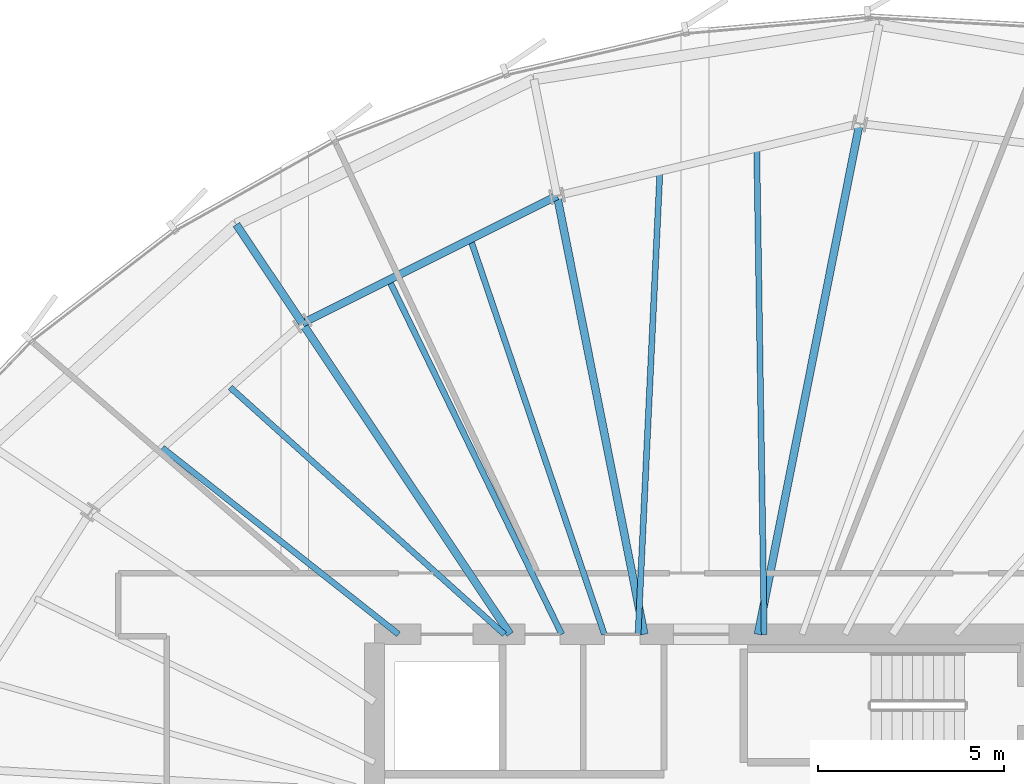
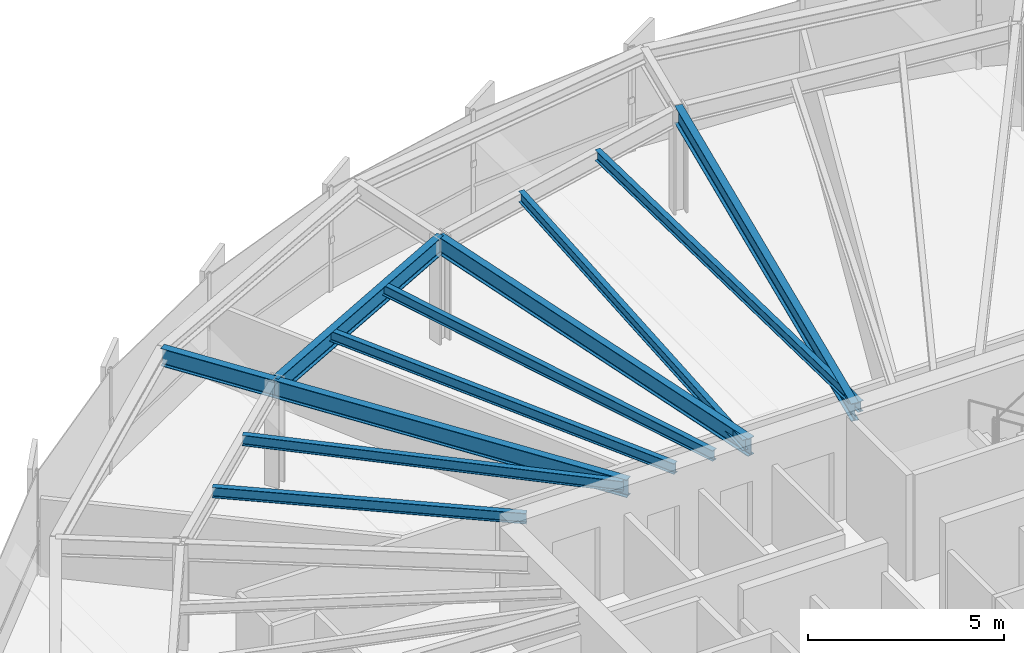
# One storey, part 21 of 35: 11 beams.
"""IFC4 building model written with IfcOpenShell, lengths in metres."""

import ifcopenshell
import ifcopenshell.guid

model = None  # the IFC model being written
_history = None  # IfcOwnerHistory: only IFC2X3 demands one
_inside = {}  # id of a spatial element -> (the spatial element, [elements in it])
_under = {}  # id of a project, library or spatial element -> (it, [spatial elements below it])
_declared = {}  # id of a project -> (the project, [libraries it declares])
_typed = {}  # id of a type object -> (the type object, [elements of that type])
_made_of = {}  # id of a material, layer set ... -> (it, [elements and type objects made of it])


def new_model(schema):
    """Start an empty IFC model of exactly this schema.

    Asked for "IFC4X3", IfcOpenShell would pick the latest addendum, in which some entities
    have other attributes; the version numbers below select the first issue.
    IFC2X3 requires an IfcOwnerHistory on every rooted entity: one is made here for all.
    """
    global model, _history
    if schema == "IFC4X3":
        model = ifcopenshell.file(schema_version=(4, 3, 0, 0))
    else:
        model = ifcopenshell.file(schema=schema)
    _inside.clear()
    _under.clear()
    _declared.clear()
    _typed.clear()
    _made_of.clear()
    _history = None
    if model.schema == "IFC2X3":
        org = make("IfcOrganization", Name="unknown")
        user = make(
            "IfcPersonAndOrganization",
            ThePerson=make("IfcPerson", FamilyName="unknown"),
            TheOrganization=org,
        )
        app = make(
            "IfcApplication",
            ApplicationDeveloper=org,
            Version="unknown",
            ApplicationFullName="unknown",
            ApplicationIdentifier="unknown",
        )
        _history = make(
            "IfcOwnerHistory",
            OwningUser=user,
            OwningApplication=app,
            ChangeAction="ADDED",
            CreationDate=0,
        )
    return model


def make(cls, **values):
    """One entity of the class cls with the attributes given. An attribute that is None is left unset."""
    return model.create_entity(
        cls, **{name: value for name, value in values.items() if value is not None}
    )


def rooted(cls, **values):
    """An entity with a GlobalId (a new one), such as an element, a storey or a relation."""
    return make(cls, GlobalId=ifcopenshell.guid.new(), OwnerHistory=_history, **values)


def si_unit(unit_type, name, prefix=None):
    """IfcSIUnit, for example si_unit("LENGTHUNIT", "METRE", prefix="MILLI")."""
    return make("IfcSIUnit", UnitType=unit_type, Prefix=prefix, Name=name)


def assignment(units):
    """IfcUnitAssignment: the units of a project."""
    return None if units is None else make("IfcUnitAssignment", Units=units)


def point(xyz):
    """IfcCartesianPoint."""
    return None if xyz is None else make("IfcCartesianPoint", Coordinates=xyz)


def direction(xyz):
    """IfcDirection."""
    return None if xyz is None else make("IfcDirection", DirectionRatios=xyz)


def frame(location, z_axis=None, x_axis=None):
    """IfcAxis2Placement3D, a coordinate frame: its origin and axes. An axis left out is left unset."""
    return make(
        "IfcAxis2Placement3D",
        Location=point(location),
        Axis=direction(z_axis),
        RefDirection=direction(x_axis),
    )


def frame_2d(location, x_axis=None):
    """IfcAxis2Placement2D, a coordinate frame in the plane: its origin and x axis."""
    return make(
        "IfcAxis2Placement2D", Location=point(location), RefDirection=direction(x_axis)
    )


def origin():
    """The frame at (0, 0, 0) with its axes left unset."""
    return frame((0.0, 0.0, 0.0))


def origin_2d():
    """The frame at (0, 0) in the plane with its x axis left unset."""
    return frame_2d((0.0, 0.0))


def place(relative_to, where):
    """IfcLocalPlacement: puts the frame where relative to a parent placement (None: the world)."""
    return make(
        "IfcLocalPlacement", PlacementRelTo=relative_to, RelativePlacement=where
    )


def context(
    kind, dimensions, precision=None, world=None, true_north=None, identifier=None
):
    """IfcGeometricRepresentationContext, for example the 3D "Model" context."""
    return make(
        "IfcGeometricRepresentationContext",
        ContextIdentifier=identifier,
        ContextType=kind,
        CoordinateSpaceDimension=dimensions,
        Precision=precision,
        WorldCoordinateSystem=world,
        TrueNorth=true_north,
    )


def subcontext(parent, identifier, kind, view, scale=None):
    """IfcGeometricRepresentationSubContext, for example "Body" below "Model"."""
    return make(
        "IfcGeometricRepresentationSubContext",
        ContextIdentifier=identifier,
        ContextType=kind,
        ParentContext=parent,
        TargetScale=scale,
        TargetView=view,
    )


def project(units=None, contexts=None):
    """IfcProject with its units and contexts."""
    return rooted(
        "IfcProject",
        Name="project",
        RepresentationContexts=contexts,
        UnitsInContext=assignment(units),
    )


def spatial(cls, under=None, at=None, **own):
    """A site, building, storey or space (cls), placed at a placement, below another one or the project."""
    s = rooted(cls, ObjectPlacement=at, **own)
    if under is not None:
        _under.setdefault(under.id(), (under, []))[1].append(s)
    return s


def profile(cls, at=None, kind="AREA", **sizes):
    """A parametric profile (cls). Its sizes go by their IFC names, for example OverallWidth=200.0."""
    return make(cls, ProfileType=kind, Position=at, **sizes)


def i_section(**sizes):
    """IfcIShapeProfileDef."""
    return profile("IfcIShapeProfileDef", **sizes)


def extrude(swept, where, along, depth):
    """IfcExtrudedAreaSolid: the profile swept, set in the frame where, extruded along a direction by depth."""
    return make(
        "IfcExtrudedAreaSolid",
        SweptArea=swept,
        Position=where,
        ExtrudedDirection=direction(along),
        Depth=depth,
    )


def shape(context_of_items, identifier, shape_type, items):
    """IfcShapeRepresentation: the items that make up one representation, for example the "Body"."""
    return make(
        "IfcShapeRepresentation",
        ContextOfItems=context_of_items,
        RepresentationIdentifier=identifier,
        RepresentationType=shape_type,
        Items=items,
    )


def source(mapping_origin, context_of_items, identifier, shape_type, items):
    """IfcRepresentationMap: a shape defined once, which mapped items show again and again."""
    return make(
        "IfcRepresentationMap",
        MappingOrigin=mapping_origin,
        MappedRepresentation=shape(context_of_items, identifier, shape_type, items),
    )


def transform(
    local_origin,
    x_axis=None,
    y_axis=None,
    z_axis=None,
    scale=None,
    scale2=None,
    scale3=None,
    uniform=True,
):
    """IfcCartesianTransformationOperator3D, or its non-uniform kind. x_axis, y_axis, z_axis: its Axis1, 2, 3."""
    if uniform:
        return make(
            "IfcCartesianTransformationOperator3D",
            Axis1=direction(x_axis),
            Axis2=direction(y_axis),
            LocalOrigin=point(local_origin),
            Scale=scale,
            Axis3=direction(z_axis),
        )
    return make(
        "IfcCartesianTransformationOperator3DnonUniform",
        Axis1=direction(x_axis),
        Axis2=direction(y_axis),
        LocalOrigin=point(local_origin),
        Scale=scale,
        Axis3=direction(z_axis),
        Scale2=scale2,
        Scale3=scale3,
    )


def mapped(mapping_source, mapping_target):
    """IfcMappedItem: shows the shape of a source again, moved by a transform."""
    return make(
        "IfcMappedItem", MappingSource=mapping_source, MappingTarget=mapping_target
    )


def material(Name=None, Category=None):
    """IfcMaterial."""
    return make("IfcMaterial", Name=Name, Category=Category)


def material_profile(
    of_material, cross_section, Name=None, Category=None, Priority=None
):
    """IfcMaterialProfile: a cross section and its material."""
    return make(
        "IfcMaterialProfile",
        Name=Name,
        Material=of_material,
        Profile=cross_section,
        Priority=Priority,
        Category=Category,
    )


def profile_set(profiles, Name=None, composite=None):
    """IfcMaterialProfileSet."""
    return make(
        "IfcMaterialProfileSet",
        Name=Name,
        MaterialProfiles=profiles,
        CompositeProfile=composite,
    )


def made_of(thing, what):
    """Note that an element or type object is made of a material, layer set ...; save() writes the relation."""
    if what is not None:
        _made_of.setdefault(what.id(), (what, []))[1].append(thing)
    return thing


def type_object(cls, material=None, **own):
    """A type object (cls), such as IfcWallType, which elements share."""
    return made_of(rooted(cls, **own), material)


def element(
    cls,
    number,
    at=None,
    inside=None,
    cuts=None,
    type_object=None,
    material=None,
    context=None,
    identifier="Body",
    shape_type=None,
    held_by="IfcProductDefinitionShape",
    body=None,
    shapes=None,
    **own,
):
    """One element of the class cls, such as IfcWall. Its Tag is "e" and its number.

    at: its placement. inside: the storey or other place that contains it. cuts: it is an
    opening in that element (IfcRelVoidsElement). A single representation is given by context,
    identifier, shape_type and body (its items); several are given by shapes. held_by: the class
    of the entity that holds the representations. save() writes the other relations.
    """
    e = rooted(cls, Tag="e%d" % number, ObjectPlacement=at, **own)
    if body is not None:
        shapes = [shape(context, identifier, shape_type, body)]
    if shapes is not None:
        e.Representation = make(held_by, Representations=shapes)
    if inside is not None:
        _inside.setdefault(inside.id(), (inside, []))[1].append(e)
    if cuts is not None:
        rooted(
            "IfcRelVoidsElement", RelatingBuildingElement=cuts, RelatedOpeningElement=e
        )
    if type_object is not None:
        _typed.setdefault(type_object.id(), (type_object, []))[1].append(e)
    return made_of(e, material)


def aggregate(whole, parts):
    """IfcRelAggregates: a whole, such as a stair, and the parts it consists of."""
    return rooted("IfcRelAggregates", RelatingObject=whole, RelatedObjects=parts)


def save(model, path):
    """Write the relations noted so far, then the file.

    IfcRelAggregates (storeys below a building ...), IfcRelContainedInSpatialStructure (elements
    in a storey), IfcRelDefinesByType, IfcRelAssociatesMaterial and IfcRelDeclares: one each for
    every whole, place, type object, material and project.
    """
    for whole, parts in _under.values():
        aggregate(whole, parts)
    for where, things in _inside.values():
        rooted(
            "IfcRelContainedInSpatialStructure",
            RelatedElements=things,
            RelatingStructure=where,
        )
    for kind, things in _typed.values():
        rooted("IfcRelDefinesByType", RelatedObjects=things, RelatingType=kind)
    for what, things in _made_of.values():
        rooted("IfcRelAssociatesMaterial", RelatedObjects=things, RelatingMaterial=what)
    for by, libraries in _declared.values():
        rooted("IfcRelDeclares", RelatingContext=by, RelatedDefinitions=libraries)
    model.write(path)


model = new_model("IFC4")

# Units and contexts
model_context = context("Model", 3, precision=1e-05, world=origin(), true_north=direction((0.0, 1.0)))
body_context = subcontext(model_context, "Body", "Model", "MODEL_VIEW")
ifc_project = project(units=[si_unit("LENGTHUNIT", "METRE"), si_unit("AREAUNIT", "SQUARE_METRE"), si_unit("VOLUMEUNIT", "CUBIC_METRE"), si_unit("PLANEANGLEUNIT", "RADIAN"), si_unit("MASSUNIT", "GRAM", prefix="KILO"), si_unit("THERMODYNAMICTEMPERATUREUNIT", "KELVIN")], contexts=[model_context])

# Site, building, storey
site_placement = place(None, origin())
site = spatial("IfcSite", under=ifc_project, at=site_placement, CompositionType="ELEMENT")
building_placement = place(site_placement, origin())
building = spatial("IfcBuilding", under=site, at=building_placement, Name="Kethvar Cultural Tower", CompositionType="ELEMENT")
storey_placement = place(building_placement, frame((0.0, 0.0, 135.89990234375)))
storey = spatial("IfcBuildingStorey", under=building, at=storey_placement, Name="L34", CompositionType="ELEMENT", Elevation=135.89990234375)

# Beams
ifc_material = material(Name="Steel S355J2", Category="steel")
ifc_material_profile_1 = material_profile(ifc_material, i_section(OverallWidth=0.2099609375, OverallDepth=0.550048828125, WebThickness=0.010986328125, FlangeThickness=0.01708984375, FilletRadius=0.02392578125, at=origin_2d()), Name="Steel S355J2 — IPE550")
ifc_profile_set_1 = profile_set([ifc_material_profile_1], Name="Steel S355J2 — IPE550")
beam_type_1 = type_object("IfcBeamType", Name="BM-IPE550", PredefinedType="BEAM", material=ifc_profile_set_1)
shared_shape_1 = source(origin(), body_context, "Body", "SweptSolid", [
    extrude(i_section(OverallWidth=0.2099609375, OverallDepth=0.550048828125, WebThickness=0.010986328125, FlangeThickness=0.01708984375, FilletRadius=0.02392578125, at=origin_2d()), origin(), (0.0, 0.0, 1.0), 3.2001953125),
])
beam_1_placement = place(storey_placement, frame((36.0576171875, 43.877197265625, 3.023193359375), z_axis=(-0.555544970406, 0.831486491686, 0.0), x_axis=(-0.831486491686, -0.555544970406, 0.0)))
element("IfcBeam", 1, at=beam_1_placement, inside=storey, type_object=beam_type_1, Name="L34 Perimeter Cantilever Beam RC-06", PredefinedType="BEAM", context=body_context, shape_type="MappedRepresentation", body=[
    mapped(shared_shape_1, transform((0.0, 0.0, 0.0), scale=1.0)),
])
shared_shape_2 = source(origin(), body_context, "Body", "SweptSolid", [
    extrude(i_section(OverallWidth=0.2099609375, OverallDepth=0.550048828125, WebThickness=0.010986328125, FlangeThickness=0.01708984375, FilletRadius=0.02392578125, at=origin_2d()), origin(), (0.0, 0.0, 1.0), 14.02880859375),
])
beam_2_placement = place(storey_placement, frame((48.33154296875, 35.5, 3.023193359375), z_axis=(0.195101986683, 0.980782960085, 0.0), x_axis=(-0.980782960085, 0.195101986683, 0.0)))
element("IfcBeam", 2, at=beam_2_placement, inside=storey, type_object=beam_type_1, Name="L34 Primary Radial Beam RB-04", PredefinedType="BEAM", context=body_context, shape_type="MappedRepresentation", body=[
    mapped(shared_shape_2, transform((0.0, 0.0, 0.0), scale=1.0)),
])
shared_shape_3 = source(origin(), body_context, "Body", "SweptSolid", [
    extrude(i_section(OverallWidth=0.2099609375, OverallDepth=0.550048828125, WebThickness=0.010986328125, FlangeThickness=0.01708984375, FilletRadius=0.02392578125, at=origin_2d()), origin(), (0.0, 0.0, 1.0), 12.042724609375),
])
beam_3_placement = place(storey_placement, frame((45.268310546875, 35.5, 3.023193359375), z_axis=(-0.195086784047, 0.980785984142, 0.0), x_axis=(-0.980785984142, -0.195086784047, 0.0)))
element("IfcBeam", 3, at=beam_3_placement, inside=storey, type_object=beam_type_1, Name="L34 Primary Radial Beam RB-05", PredefinedType="BEAM", context=body_context, shape_type="MappedRepresentation", body=[
    mapped(shared_shape_3, transform((0.0, 0.0, 0.0), scale=1.0)),
])
shared_shape_4 = source(origin(), body_context, "Body", "SweptSolid", [
    extrude(i_section(OverallWidth=0.2099609375, OverallDepth=0.550048828125, WebThickness=0.010986328125, FlangeThickness=0.01708984375, FilletRadius=0.02392578125, at=origin_2d()), origin(), (0.0, 0.0, 1.0), 10.0751953125),
])
beam_4_placement = place(storey_placement, frame((41.655029296875, 35.5, 3.023193359375), z_axis=(-0.555566654614, 0.831472003305, 0.0), x_axis=(-0.831472003305, -0.555566654614, 0.0)))
element("IfcBeam", 4, at=beam_4_placement, inside=storey, type_object=beam_type_1, Name="L34 Primary Radial Beam RB-06", PredefinedType="BEAM", context=body_context, shape_type="MappedRepresentation", body=[
    mapped(shared_shape_4, transform((0.0, 0.0, 0.0), scale=1.0)),
])
ifc_material_profile_2 = material_profile(ifc_material, i_section(OverallWidth=0.159912109375, OverallDepth=0.330078125, WebThickness=0.007568359375, FlangeThickness=0.011474609375, FilletRadius=0.01806640625, at=origin_2d()), Name="Steel S355J2 — IPE330")
ifc_profile_set_2 = profile_set([ifc_material_profile_2], Name="Steel S355J2 — IPE330")
beam_type_2 = type_object("IfcBeamType", Name="BM-J330", PredefinedType="JOIST", material=ifc_profile_set_2)
shared_shape_5 = source(origin(), body_context, "Body", "SweptSolid", [
    extrude(i_section(OverallWidth=0.159912109375, OverallDepth=0.330078125, WebThickness=0.007568359375, FlangeThickness=0.011474609375, FilletRadius=0.01806640625, at=origin_2d()), origin(), (0.0, 0.0, 1.0), 13.098388671875),
])
beam_5_placement = place(storey_placement, frame((48.5, 35.5, 3.133056640625), z_axis=(-0.015451599057, 0.999880616917, 0.0), x_axis=(-0.999880616917, -0.015451599057, 0.0)))
element("IfcBeam", 5, at=beam_5_placement, inside=storey, type_object=beam_type_2, Name="L34 Composite Floor Joist J-04A", PredefinedType="JOIST", context=body_context, shape_type="MappedRepresentation", body=[
    mapped(shared_shape_5, transform((0.0, 0.0, 0.0), scale=1.0)),
])
shared_shape_6 = source(origin(), body_context, "Body", "SweptSolid", [
    extrude(i_section(OverallWidth=0.159912109375, OverallDepth=0.330078125, WebThickness=0.007568359375, FlangeThickness=0.011474609375, FilletRadius=0.01806640625, at=origin_2d()), origin(), (0.0, 0.0, 1.0), 12.487548828125),
])
beam_6_placement = place(storey_placement, frame((45.10009765625, 35.5, 3.133056640625), z_axis=(0.047214958818, 0.998884751943, 0.0), x_axis=(-0.998884751943, 0.047214958818, 0.0)))
element("IfcBeam", 6, at=beam_6_placement, inside=storey, type_object=beam_type_2, Name="L34 Composite Floor Joist J-04B", PredefinedType="JOIST", context=body_context, shape_type="MappedRepresentation", body=[
    mapped(shared_shape_6, transform((0.0, 0.0, 0.0), scale=1.0)),
])
shared_shape_7 = source(origin(), body_context, "Body", "SweptSolid", [
    extrude(i_section(OverallWidth=0.2099609375, OverallDepth=0.550048828125, WebThickness=0.010986328125, FlangeThickness=0.01708984375, FilletRadius=0.02392578125, at=origin_2d()), origin(), (0.0, 0.0, 1.0), 7.672607421875),
])
beam_7_placement = place(storey_placement, frame((42.9189453125, 47.311279296875, 3.023193359375), z_axis=(-0.894248932057, -0.447569935892, 0.0), x_axis=(0.447569935892, -0.894248932057, 0.0)))
element("IfcBeam", 7, at=beam_7_placement, inside=storey, type_object=beam_type_1, Name="L34 Column Ring Tie Beam CR-05", PredefinedType="BEAM", context=body_context, shape_type="MappedRepresentation", body=[
    mapped(shared_shape_7, transform((0.0, 0.0, 0.0), scale=1.0)),
])
shared_shape_8 = source(origin(), body_context, "Body", "SweptSolid", [
    extrude(i_section(OverallWidth=0.159912109375, OverallDepth=0.330078125, WebThickness=0.007568359375, FlangeThickness=0.011474609375, FilletRadius=0.01806640625, at=origin_2d()), origin(), (0.0, 0.0, 1.0), 11.23779296875),
])
beam_8_placement = place(storey_placement, frame((44.191650390625, 35.5, 3.133056640625), z_axis=(-0.32083186626, 0.94713616423, 0.0), x_axis=(-0.94713616423, -0.32083186626, 0.0)))
element("IfcBeam", 8, at=beam_8_placement, inside=storey, type_object=beam_type_2, Name="L34 Composite Floor Joist J-05A", PredefinedType="JOIST", context=body_context, shape_type="MappedRepresentation", body=[
    mapped(shared_shape_8, transform((0.0, 0.0, 0.0), scale=1.0)),
])
shared_shape_9 = source(origin(), body_context, "Body", "SweptSolid", [
    extrude(i_section(OverallWidth=0.159912109375, OverallDepth=0.330078125, WebThickness=0.007568359375, FlangeThickness=0.011474609375, FilletRadius=0.01806640625, at=origin_2d()), origin(), (0.0, 0.0, 1.0), 10.619384765625),
])
beam_9_placement = place(storey_placement, frame((43.044921875, 35.5, 3.133056640625), z_axis=(-0.438308125028, 0.898824781331, 0.0), x_axis=(-0.898824781331, -0.438308125028, 0.0)))
element("IfcBeam", 9, at=beam_9_placement, inside=storey, type_object=beam_type_2, Name="L34 Composite Floor Joist J-05B", PredefinedType="JOIST", context=body_context, shape_type="MappedRepresentation", body=[
    mapped(shared_shape_9, transform((0.0, 0.0, 0.0), scale=1.0)),
])
shared_shape_10 = source(origin(), body_context, "Body", "SweptSolid", [
    extrude(i_section(OverallWidth=0.159912109375, OverallDepth=0.330078125, WebThickness=0.007568359375, FlangeThickness=0.011474609375, FilletRadius=0.01806640625, at=origin_2d()), origin(), (0.0, 0.0, 1.0), 9.93701171875),
])
beam_10_placement = place(storey_placement, frame((41.5, 35.5, 3.133056640625), z_axis=(-0.743138974967, 0.669137103952, 0.0), x_axis=(-0.669137103952, -0.743138974967, 0.0)))
element("IfcBeam", 10, at=beam_10_placement, inside=storey, type_object=beam_type_2, Name="L34 Composite Floor Joist J-06A", PredefinedType="JOIST", context=body_context, shape_type="MappedRepresentation", body=[
    mapped(shared_shape_10, transform((0.0, 0.0, 0.0), scale=1.0)),
])
shared_shape_11 = source(origin(), body_context, "Body", "SweptSolid", [
    extrude(i_section(OverallWidth=0.159912109375, OverallDepth=0.330078125, WebThickness=0.007568359375, FlangeThickness=0.011474609375, FilletRadius=0.01806640625, at=origin_2d()), origin(), (0.0, 0.0, 1.0), 8.105712890625),
])
beam_11_placement = place(storey_placement, frame((38.64990234375, 35.5, 3.133056640625), z_axis=(-0.784895872164, 0.619627686486, 0.0), x_axis=(-0.619627686486, -0.784895872164, 0.0)))
element("IfcBeam", 11, at=beam_11_placement, inside=storey, type_object=beam_type_2, Name="L34 Composite Floor Joist J-06B", PredefinedType="JOIST", context=body_context, shape_type="MappedRepresentation", body=[
    mapped(shared_shape_11, transform((0.0, 0.0, 0.0), scale=1.0)),
])

save(model, "model.ifc")
